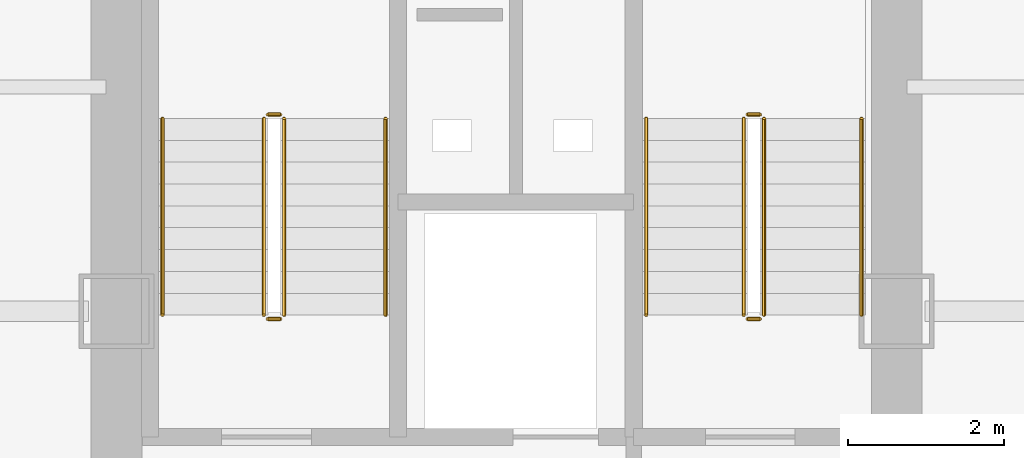
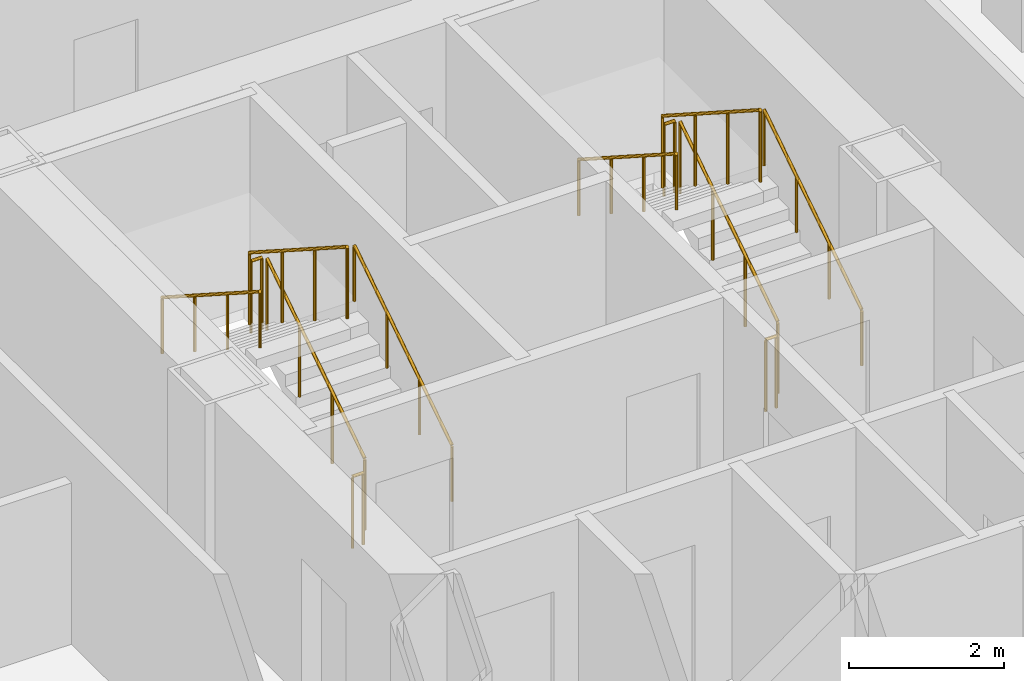
# One storey, part 20 of 21: 12 railings.
"""IFC4 building model written with IfcOpenShell, lengths in metres."""

from ifc_helpers import new_model, si_unit, direction, frame, origin, origin_2d, place, context, subcontext, project, spatial, circle, extrude, material, type_object, element, save


model = new_model("IFC4")

# Units and contexts
model_context = context("Model", 3, precision=1e-05, world=origin(), true_north=direction((0.0, 1.0)))
body_context = subcontext(model_context, "Body", "Model", "MODEL_VIEW")
ifc_project = project(units=[si_unit("LENGTHUNIT", "METRE"), si_unit("AREAUNIT", "SQUARE_METRE"), si_unit("VOLUMEUNIT", "CUBIC_METRE"), si_unit("PLANEANGLEUNIT", "RADIAN"), si_unit("MASSUNIT", "GRAM", prefix="KILO")], contexts=[model_context])

# Site, building, storey
site_placement = place(None, origin())
site = spatial("IfcSite", under=ifc_project, at=site_placement, CompositionType="ELEMENT")
building_placement = place(site_placement, origin())
building = spatial("IfcBuilding", under=site, at=building_placement, Name="Kolveth Station Tower", CompositionType="ELEMENT")
storey_placement = place(building_placement, frame((0.0, 0.0, 44.10009765625)))
storey = spatial("IfcBuildingStorey", under=building, at=storey_placement, Name="L11", CompositionType="ELEMENT", Elevation=44.10009765625)

# Railings
ifc_material_1 = material(Name="Painted Steel S355 balustrade", Category="steel")
railing_type_1 = type_object("IfcRailingType", Name="Guard_GR2", PredefinedType="BALUSTRADE", material=ifc_material_1)
railing_1_placement = place(storey_placement, frame((20.64990234375, 22.949951171875, 0.179931640625)))
element("IfcRailing", 1, at=railing_1_placement, inside=storey, type_object=railing_type_1, Name="L11 ST1 stair guard 1", PredefinedType="BALUSTRADE", context=body_context, shape_type="SweptSolid", body=[
    extrude(circle(Radius=0.02392578125, at=origin_2d()), frame((0.0, 0.0, 1.1259765625), z_axis=(0.0, 0.841199657755, 0.540724639528), x_axis=(-1.0, 0.0, 0.0)), (0.0, 0.0, 1.0), 2.995849609375),
    extrude(circle(Radius=0.02099609375, at=origin_2d()), origin(), (0.0, 0.0, 1.0), 1.101806640625),
    extrude(circle(Radius=0.02099609375, at=origin_2d()), frame((0.0, 0.840087890625, 0.5400390625)), (0.0, 0.0, 1.0), 1.101806640625),
    extrude(circle(Radius=0.02099609375, at=origin_2d()), frame((0.0, 1.679931640625, 1.079833984375)), (0.0, 0.0, 1.0), 1.101806640625),
    extrude(circle(Radius=0.02099609375, at=origin_2d()), frame((0.0, 2.52001953125, 1.619873046875)), (0.0, 0.0, 1.0), 1.101806640625),
])
railing_2_placement = place(storey_placement, frame((20.60009765625, 25.52001953125, 1.7998046875)))
element("IfcRailing", 2, at=railing_2_placement, inside=storey, type_object=railing_type_1, Name="L11 ST1 stair guard 2", PredefinedType="BALUSTRADE", context=body_context, shape_type="SweptSolid", body=[
    extrude(circle(Radius=0.02392578125, at=origin_2d()), frame((0.0, 0.0, 1.1259765625), z_axis=(-1.0, 0.0, 0.0), x_axis=(0.0, -1.0, 0.0)), (0.0, 0.0, 1.0), 0.16015625),
    extrude(circle(Radius=0.02099609375, at=origin_2d()), origin(), (0.0, 0.0, 1.0), 1.101806640625),
    extrude(circle(Radius=0.02099609375, at=origin_2d()), frame((-0.16015625, 0.0, 0.0)), (0.0, 0.0, 1.0), 1.101806640625),
])
railing_3_placement = place(storey_placement, frame((20.389892578125, 25.469970703125, 1.97998046875)))
element("IfcRailing", 3, at=railing_3_placement, inside=storey, type_object=railing_type_1, Name="L11 ST1 stair guard 3", PredefinedType="BALUSTRADE", context=body_context, shape_type="SweptSolid", body=[
    extrude(circle(Radius=0.02392578125, at=origin_2d()), frame((0.0, 0.0, 1.1259765625), z_axis=(0.0, -0.841199657755, 0.540724639528), x_axis=(1.0, 0.0, 0.0)), (0.0, 0.0, 1.0), 2.995849609375),
    extrude(circle(Radius=0.02099609375, at=origin_2d()), origin(), (0.0, 0.0, 1.0), 1.101806640625),
    extrude(circle(Radius=0.02099609375, at=origin_2d()), frame((0.0, -0.840087890625, 0.5400390625)), (0.0, 0.0, 1.0), 1.101806640625),
    extrude(circle(Radius=0.02099609375, at=origin_2d()), frame((0.0, -1.679931640625, 1.079833984375)), (0.0, 0.0, 1.0), 1.101806640625),
    extrude(circle(Radius=0.02099609375, at=origin_2d()), frame((0.0, -2.52001953125, 1.619873046875)), (0.0, 0.0, 1.0), 1.101806640625),
])
railing_4_placement = place(storey_placement, frame((20.60009765625, 22.89990234375, 0.0)))
element("IfcRailing", 4, at=railing_4_placement, inside=storey, type_object=railing_type_1, Name="L11 ST1 stair guard 4", PredefinedType="BALUSTRADE", context=body_context, shape_type="SweptSolid", body=[
    extrude(circle(Radius=0.02392578125, at=origin_2d()), frame((0.0, 0.0, 1.1259765625), z_axis=(-1.0, 0.0, 0.0), x_axis=(0.0, -1.0, 0.0)), (0.0, 0.0, 1.0), 0.16015625),
    extrude(circle(Radius=0.02099609375, at=origin_2d()), origin(), (0.0, 0.0, 1.0), 1.101806640625),
    extrude(circle(Radius=0.02099609375, at=origin_2d()), frame((-0.16015625, 0.0, 0.0)), (0.0, 0.0, 1.0), 1.101806640625),
])
railing_5_placement = place(storey_placement, frame((26.800048828125, 22.949951171875, 0.179931640625)))
element("IfcRailing", 5, at=railing_5_placement, inside=storey, type_object=railing_type_1, Name="L11 ST2 stair guard 1", PredefinedType="BALUSTRADE", context=body_context, shape_type="SweptSolid", body=[
    extrude(circle(Radius=0.02392578125, at=origin_2d()), frame((0.0, 0.0, 1.1259765625), z_axis=(0.0, 0.841199657755, 0.540724639528), x_axis=(-1.0, 0.0, 0.0)), (0.0, 0.0, 1.0), 2.995849609375),
    extrude(circle(Radius=0.02099609375, at=origin_2d()), origin(), (0.0, 0.0, 1.0), 1.101806640625),
    extrude(circle(Radius=0.02099609375, at=origin_2d()), frame((0.0, 0.840087890625, 0.5400390625)), (0.0, 0.0, 1.0), 1.101806640625),
    extrude(circle(Radius=0.02099609375, at=origin_2d()), frame((0.0, 1.679931640625, 1.079833984375)), (0.0, 0.0, 1.0), 1.101806640625),
    extrude(circle(Radius=0.02099609375, at=origin_2d()), frame((0.0, 2.52001953125, 1.619873046875)), (0.0, 0.0, 1.0), 1.101806640625),
])
railing_6_placement = place(storey_placement, frame((26.75, 25.52001953125, 1.7998046875)))
element("IfcRailing", 6, at=railing_6_placement, inside=storey, type_object=railing_type_1, Name="L11 ST2 stair guard 2", PredefinedType="BALUSTRADE", context=body_context, shape_type="SweptSolid", body=[
    extrude(circle(Radius=0.02392578125, at=origin_2d()), frame((0.0, 0.0, 1.1259765625), z_axis=(-1.0, 0.0, 0.0), x_axis=(0.0, -1.0, 0.0)), (0.0, 0.0, 1.0), 0.159912109375),
    extrude(circle(Radius=0.02099609375, at=origin_2d()), origin(), (0.0, 0.0, 1.0), 1.101806640625),
    extrude(circle(Radius=0.02099609375, at=origin_2d()), frame((-0.159912109375, 0.0, 0.0)), (0.0, 0.0, 1.0), 1.101806640625),
])
railing_7_placement = place(storey_placement, frame((26.5400390625, 25.469970703125, 1.97998046875)))
element("IfcRailing", 7, at=railing_7_placement, inside=storey, type_object=railing_type_1, Name="L11 ST2 stair guard 3", PredefinedType="BALUSTRADE", context=body_context, shape_type="SweptSolid", body=[
    extrude(circle(Radius=0.02392578125, at=origin_2d()), frame((0.0, 0.0, 1.1259765625), z_axis=(0.0, -0.841199657755, 0.540724639528), x_axis=(1.0, 0.0, 0.0)), (0.0, 0.0, 1.0), 2.995849609375),
    extrude(circle(Radius=0.02099609375, at=origin_2d()), origin(), (0.0, 0.0, 1.0), 1.101806640625),
    extrude(circle(Radius=0.02099609375, at=origin_2d()), frame((0.0, -0.840087890625, 0.5400390625)), (0.0, 0.0, 1.0), 1.101806640625),
    extrude(circle(Radius=0.02099609375, at=origin_2d()), frame((0.0, -1.679931640625, 1.079833984375)), (0.0, 0.0, 1.0), 1.101806640625),
    extrude(circle(Radius=0.02099609375, at=origin_2d()), frame((0.0, -2.52001953125, 1.619873046875)), (0.0, 0.0, 1.0), 1.101806640625),
])
railing_8_placement = place(storey_placement, frame((26.75, 22.89990234375, 0.0)))
element("IfcRailing", 8, at=railing_8_placement, inside=storey, type_object=railing_type_1, Name="L11 ST2 stair guard 4", PredefinedType="BALUSTRADE", context=body_context, shape_type="SweptSolid", body=[
    extrude(circle(Radius=0.02392578125, at=origin_2d()), frame((0.0, 0.0, 1.1259765625), z_axis=(-1.0, 0.0, 0.0), x_axis=(0.0, -1.0, 0.0)), (0.0, 0.0, 1.0), 0.159912109375),
    extrude(circle(Radius=0.02099609375, at=origin_2d()), origin(), (0.0, 0.0, 1.0), 1.101806640625),
    extrude(circle(Radius=0.02099609375, at=origin_2d()), frame((-0.159912109375, 0.0, 0.0)), (0.0, 0.0, 1.0), 1.101806640625),
])
ifc_material_2 = material(Name="Brushed stainless steel", Category="steel")
railing_type_2 = type_object("IfcRailingType", Name="Handrail_HR1", PredefinedType="HANDRAIL", material=ifc_material_2)
railing_9_placement = place(storey_placement, frame((21.949951171875, 22.949951171875, 0.179931640625)))
element("IfcRailing", 9, at=railing_9_placement, inside=storey, type_object=railing_type_2, Name="L11 ST1 stair handrail 1", PredefinedType="HANDRAIL", context=body_context, shape_type="SweptSolid", body=[
    extrude(circle(Radius=0.02392578125, at=origin_2d()), frame((0.0, 0.0, 0.8759765625), z_axis=(0.0, 0.841199657755, 0.540724639528), x_axis=(-1.0, 0.0, 0.0)), (0.0, 0.0, 1.0), 2.995849609375),
    extrude(circle(Radius=0.02099609375, at=origin_2d()), origin(), (0.0, 0.0, 1.0), 0.851806640625),
    extrude(circle(Radius=0.02099609375, at=origin_2d()), frame((0.0, 0.840087890625, 0.5400390625)), (0.0, 0.0, 1.0), 0.851806640625),
    extrude(circle(Radius=0.02099609375, at=origin_2d()), frame((0.0, 1.679931640625, 1.079833984375)), (0.0, 0.0, 1.0), 0.851806640625),
    extrude(circle(Radius=0.02099609375, at=origin_2d()), frame((0.0, 2.52001953125, 1.619873046875)), (0.0, 0.0, 1.0), 0.851806640625),
])
railing_10_placement = place(storey_placement, frame((19.090087890625, 25.469970703125, 1.97998046875)))
element("IfcRailing", 10, at=railing_10_placement, inside=storey, type_object=railing_type_2, Name="L11 ST1 stair handrail 2", PredefinedType="HANDRAIL", context=body_context, shape_type="SweptSolid", body=[
    extrude(circle(Radius=0.02392578125, at=origin_2d()), frame((0.0, 0.0, 0.8759765625), z_axis=(0.0, -0.841199657755, 0.540724639528), x_axis=(1.0, 0.0, 0.0)), (0.0, 0.0, 1.0), 2.995849609375),
    extrude(circle(Radius=0.02099609375, at=origin_2d()), origin(), (0.0, 0.0, 1.0), 0.851806640625),
    extrude(circle(Radius=0.02099609375, at=origin_2d()), frame((0.0, -0.840087890625, 0.5400390625)), (0.0, 0.0, 1.0), 0.851806640625),
    extrude(circle(Radius=0.02099609375, at=origin_2d()), frame((0.0, -1.679931640625, 1.079833984375)), (0.0, 0.0, 1.0), 0.851806640625),
    extrude(circle(Radius=0.02099609375, at=origin_2d()), frame((0.0, -2.52001953125, 1.619873046875)), (0.0, 0.0, 1.0), 0.851806640625),
])
railing_11_placement = place(storey_placement, frame((28.050048828125, 22.949951171875, 0.179931640625)))
element("IfcRailing", 11, at=railing_11_placement, inside=storey, type_object=railing_type_2, Name="L11 ST2 stair handrail 1", PredefinedType="HANDRAIL", context=body_context, shape_type="SweptSolid", body=[
    extrude(circle(Radius=0.02392578125, at=origin_2d()), frame((0.0, 0.0, 0.8759765625), z_axis=(0.0, 0.841199657755, 0.540724639528), x_axis=(-1.0, 0.0, 0.0)), (0.0, 0.0, 1.0), 2.995849609375),
    extrude(circle(Radius=0.02099609375, at=origin_2d()), origin(), (0.0, 0.0, 1.0), 0.851806640625),
    extrude(circle(Radius=0.02099609375, at=origin_2d()), frame((0.0, 0.840087890625, 0.5400390625)), (0.0, 0.0, 1.0), 0.851806640625),
    extrude(circle(Radius=0.02099609375, at=origin_2d()), frame((0.0, 1.679931640625, 1.079833984375)), (0.0, 0.0, 1.0), 0.851806640625),
    extrude(circle(Radius=0.02099609375, at=origin_2d()), frame((0.0, 2.52001953125, 1.619873046875)), (0.0, 0.0, 1.0), 0.851806640625),
])
railing_12_placement = place(storey_placement, frame((25.2900390625, 25.469970703125, 1.97998046875)))
element("IfcRailing", 12, at=railing_12_placement, inside=storey, type_object=railing_type_2, Name="L11 ST2 stair handrail 2", PredefinedType="HANDRAIL", context=body_context, shape_type="SweptSolid", body=[
    extrude(circle(Radius=0.02392578125, at=origin_2d()), frame((0.0, 0.0, 0.8759765625), z_axis=(0.0, -0.841199657755, 0.540724639528), x_axis=(1.0, 0.0, 0.0)), (0.0, 0.0, 1.0), 2.995849609375),
    extrude(circle(Radius=0.02099609375, at=origin_2d()), origin(), (0.0, 0.0, 1.0), 0.851806640625),
    extrude(circle(Radius=0.02099609375, at=origin_2d()), frame((0.0, -0.840087890625, 0.5400390625)), (0.0, 0.0, 1.0), 0.851806640625),
    extrude(circle(Radius=0.02099609375, at=origin_2d()), frame((0.0, -1.679931640625, 1.079833984375)), (0.0, 0.0, 1.0), 0.851806640625),
    extrude(circle(Radius=0.02099609375, at=origin_2d()), frame((0.0, -2.52001953125, 1.619873046875)), (0.0, 0.0, 1.0), 0.851806640625),
])

save(model, "model.ifc")
